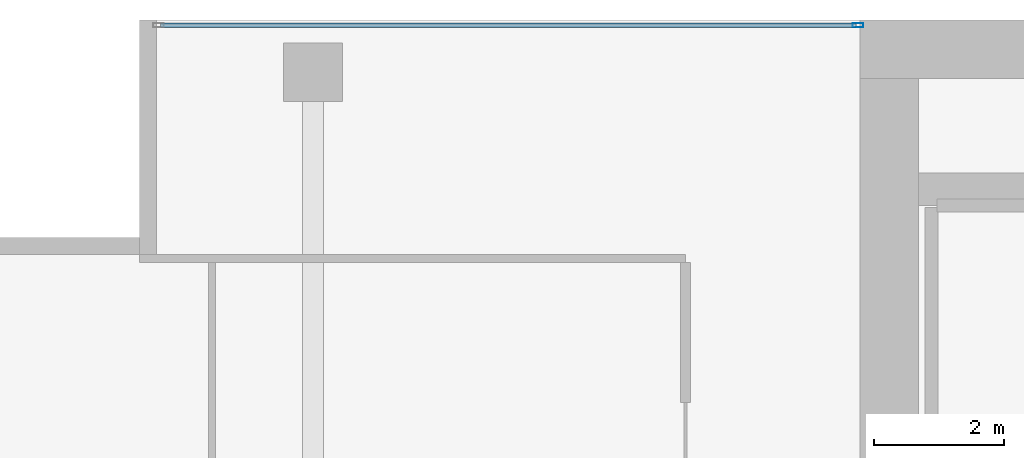
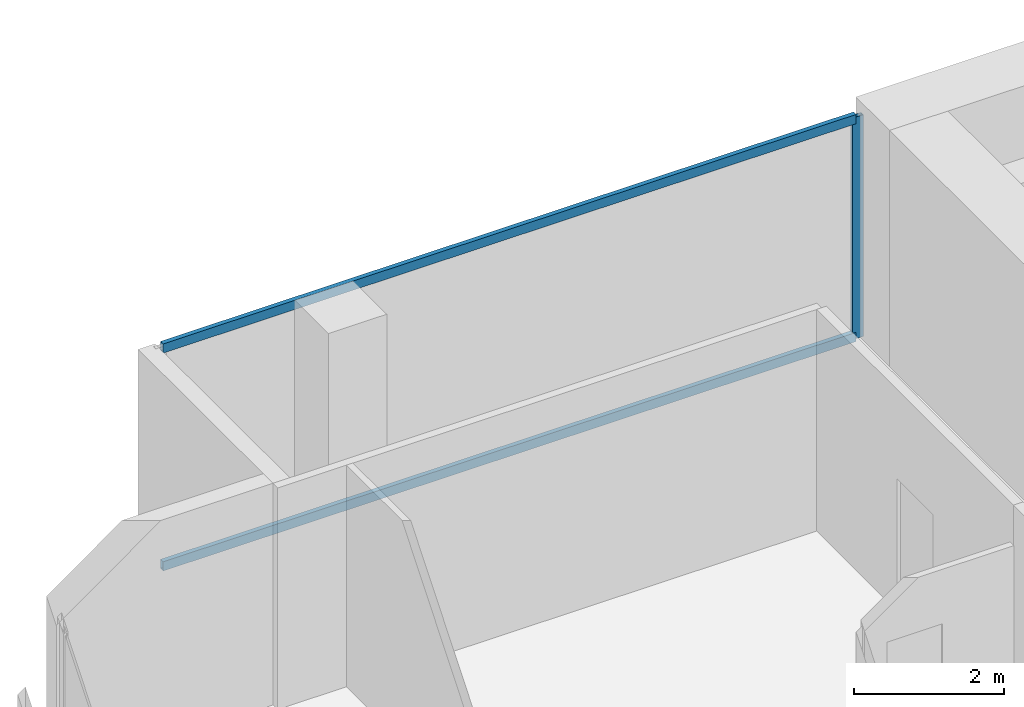
# One storey, part 26 of 40: 3 members, 1 element without a shape of its own.
"""IFC4 building model written with IfcOpenShell, lengths in metres."""

from ifc_helpers import new_model, si_unit, direction, frame, origin, origin_2d, place, context, subcontext, project, spatial, hollow_rectangle, extrude, material, layer, layer_set, material_profile, profile_set, type_object, element, aggregate, save


model = new_model("IFC4")

# Units and contexts
model_context = context("Model", 3, precision=1e-05, world=origin(), true_north=direction((0.0, 1.0)))
body_context = subcontext(model_context, "Body", "Model", "MODEL_VIEW")
ifc_project = project(units=[si_unit("LENGTHUNIT", "METRE"), si_unit("AREAUNIT", "SQUARE_METRE"), si_unit("VOLUMEUNIT", "CUBIC_METRE"), si_unit("PLANEANGLEUNIT", "RADIAN"), si_unit("MASSUNIT", "GRAM", prefix="KILO")], contexts=[model_context])

# Site, building, storey
site_placement = place(None, origin())
site = spatial("IfcSite", under=ifc_project, at=site_placement, CompositionType="ELEMENT")
building_placement = place(site_placement, origin())
building = spatial("IfcBuilding", under=site, at=building_placement, Name="Maruvema Waterfront Hotel and Observation Tower", CompositionType="ELEMENT")
storey_placement = place(building_placement, frame((0.0, 0.0, 38.5)))
storey = spatial("IfcBuildingStorey", under=building, at=storey_placement, Name="L08", CompositionType="ELEMENT", Elevation=38.5)

# Curtain wall, members
ifc_material_1 = material(Name="Anodised bronze aluminium and solar-control low-E IGU", Category="aluminium")
ifc_layer = layer(ifc_material_1, 0.159912109375, Name="Zone 1 Bronze Inner Thermal Curtain Wall System CW-02")
ifc_layer_set = layer_set([ifc_layer], Name="Anodised bronze aluminium and solar-control low-E IGU")
curtain_wall_type = type_object("IfcCurtainWallType", Name="Zone 1 Bronze Inner Thermal Curtain Wall System CW-02", PredefinedType="USERDEFINED", material=ifc_layer_set)
curtain_wall_placement = place(storey_placement, origin())
curtain_wall = element("IfcCurtainWall", 1, at=curtain_wall_placement, inside=storey, type_object=curtain_wall_type, Name="L08 Curtain Wall CW-L08-NW", ObjectType="UNITISED CURTAIN WALL", PredefinedType="USERDEFINED")
ifc_material_2 = material(Name="Anodised architectural bronze aluminium", Category="aluminium")
ifc_material_profile_1 = material_profile(ifc_material_2, hollow_rectangle(XDim=0.070068359375, YDim=0.14990234375, WallThickness=0.00390625, at=origin_2d()), Name="ALU-T70x150")
ifc_profile_set_1 = profile_set([ifc_material_profile_1], Name="Anodised architectural bronze aluminium")
member_type_1 = type_object("IfcMemberType", Name="Curtain Wall Horizontal Transom ALU-T70x150", PredefinedType="USERDEFINED", material=ifc_profile_set_1)
member_1_placement = place(storey_placement, frame((25.139892578125, 53.919921875, 0.030029296875), z_axis=(-1.0, 0.0, 0.0), x_axis=(0.0, -1.0, 0.0)))
member_1 = element("IfcMember", 2, at=member_1_placement, type_object=member_type_1, Name="CW-02 transom 1.1", ObjectType="TRANSOM", PredefinedType="USERDEFINED", context=body_context, shape_type="SweptSolid", body=[
    extrude(hollow_rectangle(XDim=0.070068359375, YDim=0.14990234375, WallThickness=0.00390625, at=origin_2d()), origin(), (0.0, 0.0, 1.0), 10.679931640625),
])
member_2_placement = place(storey_placement, frame((25.139892578125, 53.919921875, 3.580078125), z_axis=(-1.0, 0.0, 0.0), x_axis=(0.0, -1.0, 0.0)))
member_2 = element("IfcMember", 3, at=member_2_placement, type_object=member_type_1, Name="CW-02 transom 1.2", ObjectType="TRANSOM", PredefinedType="USERDEFINED", context=body_context, shape_type="SweptSolid", body=[
    extrude(hollow_rectangle(XDim=0.070068359375, YDim=0.14990234375, WallThickness=0.00390625, at=origin_2d()), origin(), (0.0, 0.0, 1.0), 10.679931640625),
])
ifc_material_3 = material(Name="Anodised architectural bronze aluminium", Category="aluminium")
ifc_material_profile_2 = material_profile(ifc_material_3, hollow_rectangle(XDim=0.06494140625, YDim=0.1650390625, WallThickness=0.00390625, at=origin_2d()), Name="ALU-M65x165")
ifc_profile_set_2 = profile_set([ifc_material_profile_2], Name="Anodised architectural bronze aluminium")
member_type_2 = type_object("IfcMemberType", Name="Curtain Wall Primary Mullion ALU-M65x165", PredefinedType="MULLION", material=ifc_profile_set_2)
member_3_placement = place(storey_placement, frame((25.169921875, 53.919921875, 0.0), z_axis=(0.0, 0.0, 1.0), x_axis=(0.0, -1.0, 0.0)))
member_3 = element("IfcMember", 4, at=member_3_placement, type_object=member_type_2, Name="CW-02 mullion 1", PredefinedType="MULLION", context=body_context, shape_type="SweptSolid", body=[
    extrude(hollow_rectangle(XDim=0.06494140625, YDim=0.1650390625, WallThickness=0.00390625, at=origin_2d()), origin(), (0.0, 0.0, 1.0), 3.610107421875),
])
aggregate(curtain_wall, [member_3, member_1, member_2])

save(model, "model.ifc")
